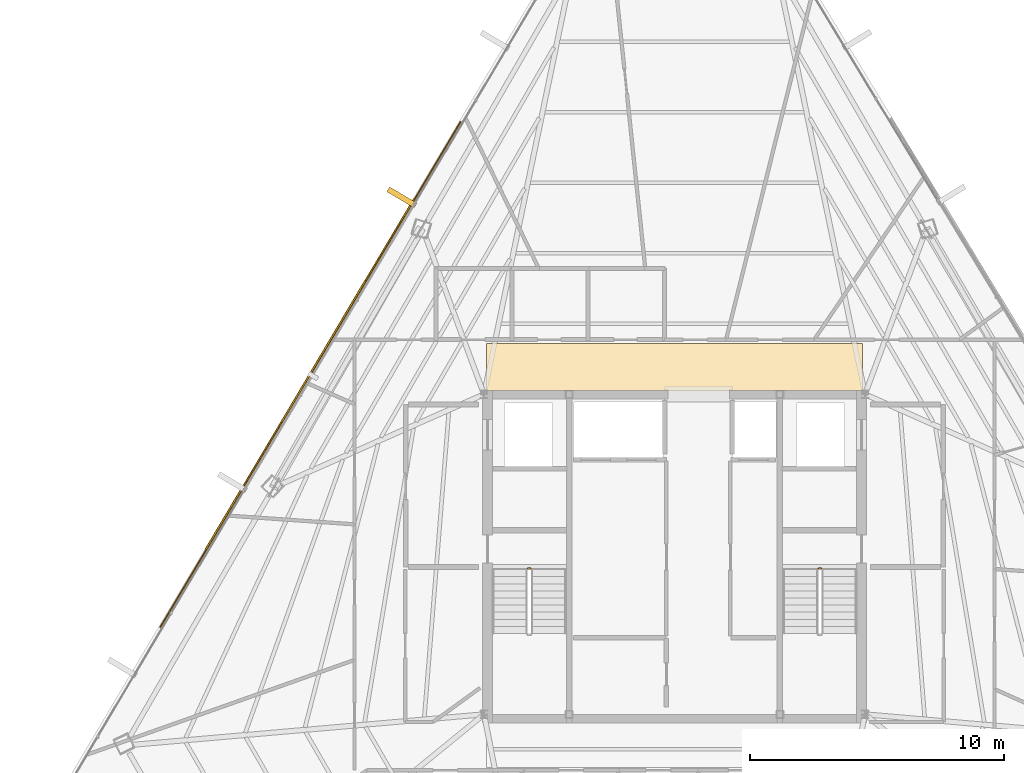
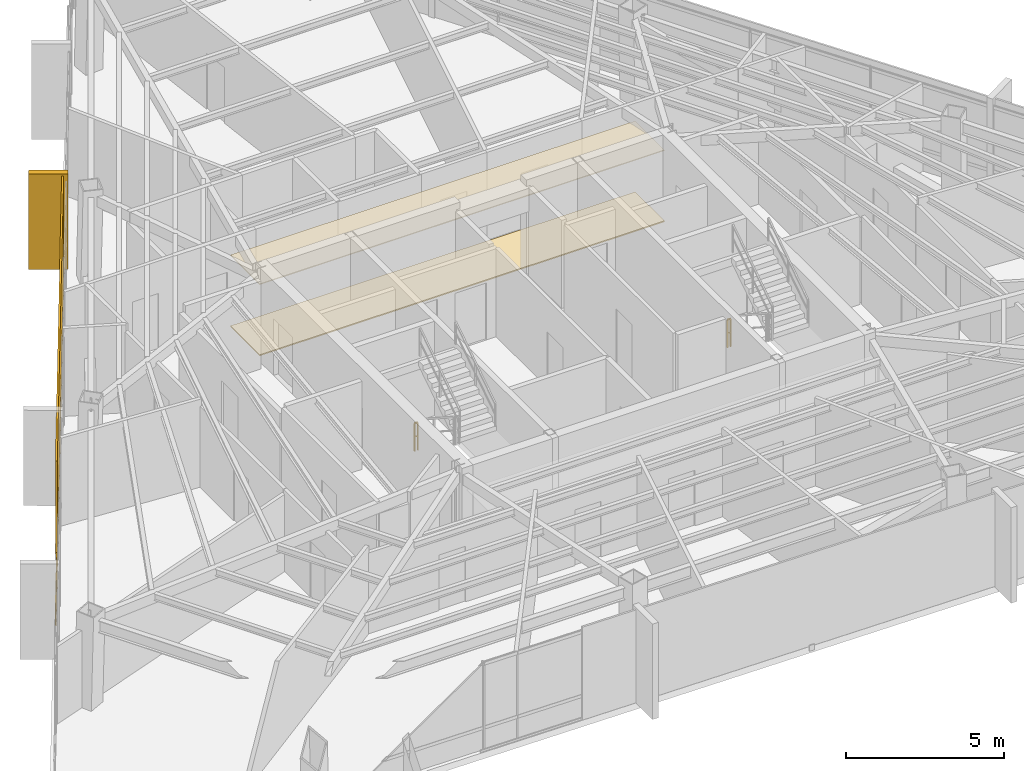
# One storey, part 41 of 42: 4 coverings, 2 railings, 1 shading device.
"""IFC4 building model written with IfcOpenShell, lengths in metres."""

from ifc_helpers import new_model, si_unit, direction, frame, origin, origin_2d, place, context, subcontext, project, spatial, polyline, rectangle, outline, extrude, source, transform, mapped, material, layer, layer_set, type_object, type_shapes, element, save


model = new_model("IFC4")

# Units and contexts
model_context = context("Model", 3, precision=1e-05, world=origin(), true_north=direction((0.0, 1.0)))
body_context = subcontext(model_context, "Body", "Model", "MODEL_VIEW")
ifc_project = project(units=[si_unit("LENGTHUNIT", "METRE"), si_unit("AREAUNIT", "SQUARE_METRE"), si_unit("VOLUMEUNIT", "CUBIC_METRE"), si_unit("PLANEANGLEUNIT", "RADIAN"), si_unit("MASSUNIT", "GRAM", prefix="KILO")], contexts=[model_context])

# Site, building, storey
site_placement = place(None, origin())
site = spatial("IfcSite", under=ifc_project, at=site_placement, CompositionType="ELEMENT")
building_placement = place(site_placement, origin())
building = spatial("IfcBuilding", under=site, at=building_placement, Name="Caelisora Broadcast Tower", CompositionType="ELEMENT")
storey_placement = place(building_placement, frame((0.0, 0.0, 244.449951171875)))
storey = spatial("IfcBuildingStorey", under=building, at=storey_placement, Name="L64", CompositionType="ELEMENT", Elevation=244.449951171875)

# Coverings
ifc_material_1 = material(Name="Perforated Mineral-Fibre Acoustic Ceiling Tile", Category="gypsum")
ifc_layer_1 = layer(ifc_material_1, 0.034912109375, Name="Perforated Mineral-Fibre Acoustic Ceiling Tile")
ifc_layer_set_1 = layer_set([ifc_layer_1], Name="Perforated Mineral-Fibre Acoustic Ceiling Tile")
covering_type_1 = type_object("IfcCoveringType", Name="CE-1", PredefinedType="CEILING", material=ifc_layer_set_1)
covering_1_placement = place(storey_placement, frame((0.0, 0.0, 2.75)))
element("IfcCovering", 1, at=covering_1_placement, inside=storey, type_object=covering_type_1, Name="L64 acoustic corridor ceiling CE-1 (N)", PredefinedType="CEILING", context=body_context, shape_type="SweptSolid", body=[
    extrude(outline(polyline([(30.60009765625, 30.14990234375), (45.39990234375, 30.14990234375), (45.39990234375, 32.0), (30.60009765625, 32.0), (30.60009765625, 30.14990234375)])), origin(), (0.0, 0.0, 1.0), 0.03515625),
])
ifc_material_2 = material(Name="Anti-Static Broadcast Raised Access Floor Panel", Category="steel")
ifc_layer_2 = layer(ifc_material_2, 0.044921875, Name="Anti-Static Broadcast Raised Access Floor Panel")
ifc_layer_set_2 = layer_set([ifc_layer_2], Name="Anti-Static Broadcast Raised Access Floor Panel")
covering_type_2 = type_object("IfcCoveringType", Name="FL-1", PredefinedType="FLOORING", material=ifc_layer_set_2)
covering_2_placement = place(storey_placement, origin())
element("IfcCovering", 2, at=covering_2_placement, inside=storey, type_object=covering_type_2, Name="L64 broadcast raised access floor FL-1 (N)", PredefinedType="FLOORING", context=body_context, shape_type="SweptSolid", body=[
    extrude(outline(polyline([(30.60009765625, 30.14990234375), (45.39990234375, 30.14990234375), (45.39990234375, 32.0), (30.60009765625, 32.0), (30.60009765625, 30.14990234375)])), origin(), (0.0, 0.0, 1.0), 0.045166015625),
])

# Railings
ifc_material_3 = material(Name="Galvanised Steel Safety Guardrail", Category="steel")
ifc_layer_3 = layer(ifc_material_3, 0.048095703125, Name="Galvanised Steel Safety Guardrail")
ifc_layer_set_3 = layer_set([ifc_layer_3], Name="Galvanised Steel Safety Guardrail")
railing_type = type_object("IfcRailingType", Name="GR-1", PredefinedType="GUARDRAIL", material=ifc_layer_set_3)
for number, where, name in (
    (3, (32.219970703125, 23.14990234375, 0.0), "L64 ST-1 stair guard 4"),
    (4, (43.659912109375, 23.14990234375, 0.0), "L64 ST-2 stair guard 4"),
):
    element("IfcRailing", number, at=place(storey_placement, frame(where)), inside=storey, type_object=railing_type, Name=name, PredefinedType="GUARDRAIL", context=body_context, shape_type="SweptSolid", body=[
        extrude(rectangle(XDim=0.048095703125, YDim=0.048095703125, at=origin_2d()), frame((0.0, 0.0, 1.076171875), z_axis=(1.0, 0.0, 0.0), x_axis=(0.0, 1.0, 0.0)), (0.0, 0.0, 1.0), 0.1201171875),
        extrude(rectangle(XDim=0.03125, YDim=0.03125, at=origin_2d()), frame((0.0, 0.0, 0.550048828125), z_axis=(1.0, 0.0, 0.0), x_axis=(0.0, 1.0, 0.0)), (0.0, 0.0, 1.0), 0.1201171875),
        extrude(rectangle(XDim=0.0419921875, YDim=0.0419921875, at=origin_2d()), origin(), (0.0, 0.0, 1.0), 1.052001953125),
        extrude(rectangle(XDim=0.0419921875, YDim=0.0419921875, at=origin_2d()), frame((0.1201171875, 0.0, 0.0)), (0.0, 0.0, 1.0), 1.052001953125),
    ])

# Covering
ifc_material_4 = material(Name="Kiln-Fired Terracotta Spandrel Rainscreen Cladding", Category="ceramic")
ifc_layer_4 = layer(ifc_material_4, 0.044921875, Name="Kiln-Fired Terracotta Spandrel Rainscreen Cladding")
ifc_layer_set_4 = layer_set([ifc_layer_4], Name="Kiln-Fired Terracotta Spandrel Rainscreen Cladding")
covering_type_3 = type_object("IfcCoveringType", Name="CL-1", PredefinedType="CLADDING", material=ifc_layer_set_4)
shared_shape_1 = source(origin(), body_context, "Body", "SweptSolid", [
    extrude(rectangle(XDim=0.219970703125, YDim=1.25, at=origin_2d()), origin(), (0.0, 0.0, 1.0), 3.68994140625),
])
covering_3_placement = place(storey_placement, frame((27.26220703125, 37.75390625, -0.02001953125), z_axis=(0.0, 0.0, 1.0), x_axis=(0.510993065504, 0.859584834096, 0.0)))
element("IfcCovering", 5, at=covering_3_placement, inside=storey, type_object=covering_type_3, Name="L64 vertical solar fin cladding #3-3", PredefinedType="CLADDING", context=body_context, shape_type="MappedRepresentation", body=[
    mapped(shared_shape_1, transform((0.0, 0.0, 0.0), scale=1.0)),
])

# Shading device
ifc_material_5 = material(Name="Perforated Glazed Terracotta Baguette Solar Screen", Category="ceramic")
ifc_layer_5 = layer(ifc_material_5, 0.06494140625, Name="Perforated Glazed Terracotta Baguette Solar Screen")
ifc_layer_set_5 = layer_set([ifc_layer_5], Name="Perforated Glazed Terracotta Baguette Solar Screen")
shading_device_type = type_object("IfcShadingDeviceType", Name="SS-1", PredefinedType="USERDEFINED", material=ifc_layer_set_5)
shared_shape_2 = source(origin(), body_context, "Body", "SweptSolid", [
    extrude(rectangle(XDim=16.0390625, YDim=0.06494140625, at=origin_2d()), origin(), (0.0, 0.0, 1.0), 3.590087890625),
])
type_shapes(shading_device_type, [shared_shape_2])
shading_device_placement = place(storey_placement, frame((23.64697265625, 30.7919921875, 0.0), z_axis=(0.0, 0.0, 1.0), x_axis=(-0.510993065504, -0.859584834096, 0.0)))
element("IfcShadingDevice", 6, at=shading_device_placement, inside=storey, type_object=shading_device_type, Name="L64 perforated terracotta solar screen #1", ObjectType="SOLAR SCREEN", PredefinedType="USERDEFINED", context=body_context, shape_type="MappedRepresentation", body=[
    mapped(shared_shape_2, transform((0.0, 0.0, 0.0), scale=1.0)),
])

# Covering
shared_shape_3 = source(origin(), body_context, "Body", "SweptSolid", [
    extrude(rectangle(XDim=23.16796875, YDim=0.044921875, at=origin_2d()), origin(), (0.0, 0.0, 1.0), 0.340087890625),
])
type_shapes(covering_type_3, [shared_shape_1, shared_shape_3])
covering_4_placement = place(storey_placement, frame((23.6640625, 30.78173828125, -0.27001953125), z_axis=(0.0, 0.0, 1.0), x_axis=(-0.510993065504, -0.859584834096, 0.0)))
element("IfcCovering", 7, at=covering_4_placement, inside=storey, type_object=covering_type_3, Name="L64 terracotta spandrel rainscreen #1", PredefinedType="CLADDING", context=body_context, shape_type="MappedRepresentation", body=[
    mapped(shared_shape_3, transform((0.0, 0.0, 0.0), scale=1.0)),
])

save(model, "model.ifc")
